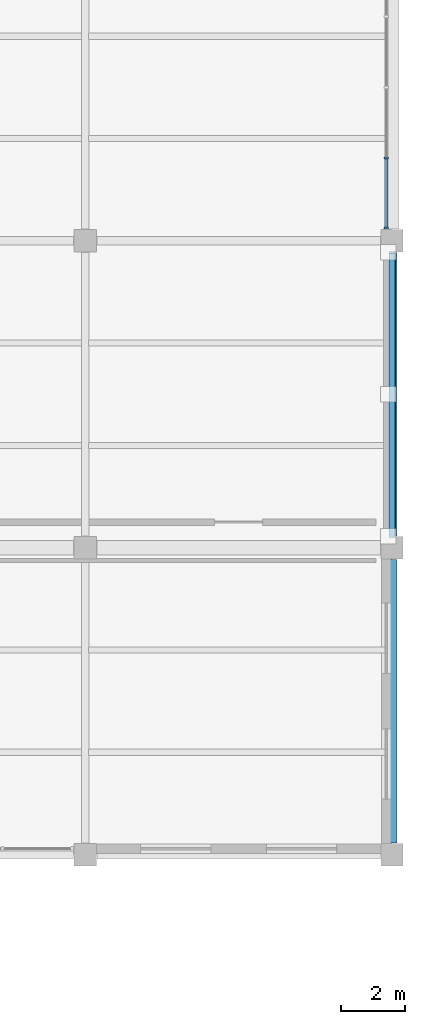
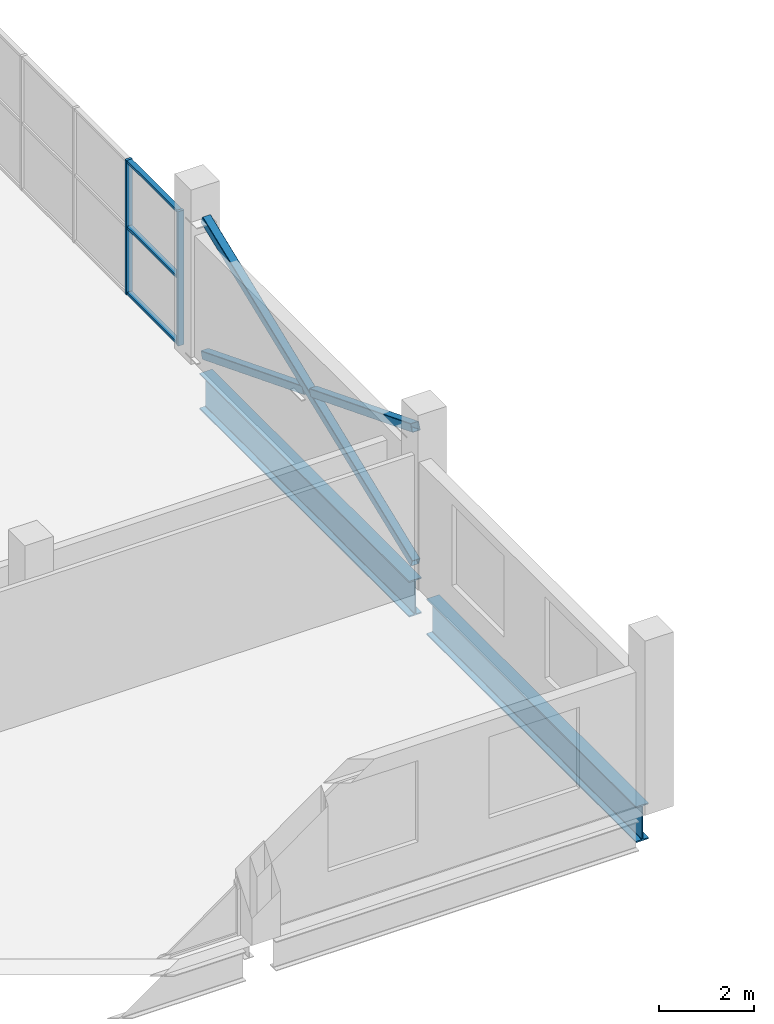
# One storey, part 39 of 92: 8 members, 2 beams, 1 element without a shape of its own.
"""IFC4 building model written with IfcOpenShell, lengths in metres."""

from ifc_helpers import new_model, si_unit, direction, frame, origin, origin_2d, place, context, subcontext, project, spatial, rectangle, hollow_rectangle, i_section, extrude, material, layer, layer_set, material_profile, profile_set, type_object, element, aggregate, save


model = new_model("IFC4")

# Units and contexts
model_context = context("Model", 3, precision=1e-05, world=origin(), true_north=direction((0.0, 1.0)))
body_context = subcontext(model_context, "Body", "Model", "MODEL_VIEW")
ifc_project = project(units=[si_unit("LENGTHUNIT", "METRE"), si_unit("AREAUNIT", "SQUARE_METRE"), si_unit("VOLUMEUNIT", "CUBIC_METRE"), si_unit("PLANEANGLEUNIT", "RADIAN"), si_unit("MASSUNIT", "GRAM", prefix="KILO")], contexts=[model_context])

# Site, building, storey
site_placement = place(None, origin())
site = spatial("IfcSite", under=ifc_project, at=site_placement, CompositionType="ELEMENT")
building_placement = place(site_placement, origin())
building = spatial("IfcBuilding", under=site, at=building_placement, Name="Caelomonte Colonnade Arena", CompositionType="ELEMENT")
storey_placement = place(building_placement, frame((0.0, 0.0, 9.60009765625)))
storey = spatial("IfcBuildingStorey", under=building, at=storey_placement, Name="L02", CompositionType="ELEMENT", Elevation=9.60009765625)

# Curtain wall, members
ifc_material_1 = material(Name="Bronze anodised aluminium and low-E glazing", Category="aluminium")
ifc_layer = layer(ifc_material_1, 0.179931640625)
ifc_layer_set = layer_set([ifc_layer], Name="Bronze anodised aluminium and low-E glazing")
curtain_wall_type = type_object("IfcCurtainWallType", Name="ENV-CW-CW-L02-96-35", PredefinedType="USERDEFINED", material=ifc_layer_set)
curtain_wall_placement = place(storey_placement, origin())
curtain_wall = element("IfcCurtainWall", 1, at=curtain_wall_placement, inside=storey, type_object=curtain_wall_type, Name="L02 unitized curtain wall CW-L02-1918-1296", ObjectType="UNITIZED CURTAIN WALL", PredefinedType="USERDEFINED")
ifc_material_2 = material(Name="Bronze anodised aluminium AA6063-T6", Category="aluminium")
ifc_material_profile_1 = material_profile(ifc_material_2, rectangle(XDim=0.06494140625, YDim=0.14990234375, at=origin_2d()), Name="CWM-65X150")
ifc_profile_set_1 = profile_set([ifc_material_profile_1], Name="Bronze anodised aluminium AA6063-T6")
member_type_1 = type_object("IfcMemberType", Name="ENV-CW-MULL2", PredefinedType="MULLION", material=ifc_profile_set_1)
member_1_placement = place(storey_placement, frame((191.820068359375, 125.202392578125, 0.0), z_axis=(0.0, 0.0, 1.0), x_axis=(0.0, 1.0, 0.0)))
member_1 = element("IfcMember", 2, at=member_1_placement, type_object=member_type_1, Name="CW-L02-96-35 mullion 1", PredefinedType="MULLION", context=body_context, shape_type="SweptSolid", body=[
    extrude(rectangle(XDim=0.06494140625, YDim=0.14990234375, at=origin_2d()), origin(), (0.0, 0.0, 1.0), 3.469970703125),
])
member_2_placement = place(storey_placement, frame((191.820068359375, 127.385009765625, 0.0), z_axis=(0.0, 0.0, 1.0), x_axis=(0.0, 1.0, 0.0)))
member_2 = element("IfcMember", 3, at=member_2_placement, type_object=member_type_1, Name="CW-L02-96-35 mullion 2", PredefinedType="MULLION", context=body_context, shape_type="SweptSolid", body=[
    extrude(rectangle(XDim=0.06494140625, YDim=0.14990234375, at=origin_2d()), origin(), (0.0, 0.0, 1.0), 3.469970703125),
])
ifc_material_profile_2 = material_profile(ifc_material_2, rectangle(XDim=0.06494140625, YDim=0.1201171875, at=origin_2d()), Name="CWT-65X120")
ifc_profile_set_2 = profile_set([ifc_material_profile_2], Name="Bronze anodised aluminium AA6063-T6")
member_type_2 = type_object("IfcMemberType", Name="ENV-CW-TRAN2", PredefinedType="USERDEFINED", material=ifc_profile_set_2)
member_3_placement = place(storey_placement, frame((191.820068359375, 125.235107421875, 0.032470703125), z_axis=(0.0, 1.0, 0.0), x_axis=(0.0, 0.0, 1.0)))
member_3 = element("IfcMember", 4, at=member_3_placement, type_object=member_type_2, Name="CW-L02-96-35 transom 1.1", ObjectType="TRANSOM", PredefinedType="USERDEFINED", context=body_context, shape_type="SweptSolid", body=[
    extrude(rectangle(XDim=0.06494140625, YDim=0.1201171875, at=origin_2d()), origin(), (0.0, 0.0, 1.0), 2.117431640625),
])
member_4_placement = place(storey_placement, frame((191.820068359375, 125.235107421875, 1.73486328125), z_axis=(0.0, 1.0, 0.0), x_axis=(0.0, 0.0, 1.0)))
member_4 = element("IfcMember", 5, at=member_4_placement, type_object=member_type_2, Name="CW-L02-96-35 transom 1.2", ObjectType="TRANSOM", PredefinedType="USERDEFINED", context=body_context, shape_type="SweptSolid", body=[
    extrude(rectangle(XDim=0.06494140625, YDim=0.1201171875, at=origin_2d()), origin(), (0.0, 0.0, 1.0), 2.117431640625),
])
member_5_placement = place(storey_placement, frame((191.820068359375, 125.235107421875, 3.4375), z_axis=(0.0, 1.0, 0.0), x_axis=(0.0, 0.0, 1.0)))
member_5 = element("IfcMember", 6, at=member_5_placement, type_object=member_type_2, Name="CW-L02-96-35 transom 1.3", ObjectType="TRANSOM", PredefinedType="USERDEFINED", context=body_context, shape_type="SweptSolid", body=[
    extrude(rectangle(XDim=0.06494140625, YDim=0.1201171875, at=origin_2d()), origin(), (0.0, 0.0, 1.0), 2.117431640625),
])
aggregate(curtain_wall, [member_1, member_2, member_3, member_4, member_5])

# Members
ifc_material_3 = material(Name="Steel ASTM A500 Grade C", Category="steel")
ifc_material_profile_3 = material_profile(ifc_material_3, hollow_rectangle(XDim=0.203125, YDim=0.203125, WallThickness=0.009521484375, InnerFilletRadius=0.009521484375, OuterFilletRadius=0.01904296875, at=origin_2d()), Name="HSS203X203X9.5")
ifc_profile_set_3 = profile_set([ifc_material_profile_3], Name="Steel ASTM A500 Grade C")
member_type_3 = type_object("IfcMemberType", Name="STR-BF-DIAG3", PredefinedType="BRACE", material=ifc_profile_set_3)
member_6_placement = place(storey_placement, frame((192.0, 115.563720703125, 0.161376953125), z_axis=(0.0, 0.930343300446, 0.366689709856), x_axis=(-1.0, 0.0, 0.0)))
element("IfcMember", 7, at=member_6_placement, inside=storey, type_object=member_type_3, Name="Braced frame BF4 L02 continuous diagonal A", PredefinedType="BRACE", context=body_context, shape_type="SweptSolid", body=[
    extrude(hollow_rectangle(XDim=0.203125, YDim=0.203125, WallThickness=0.009521484375, InnerFilletRadius=0.009521484375, OuterFilletRadius=0.01904296875, at=origin_2d()), origin(), (0.0, 0.0, 1.0), 9.536865234375),
])
for number, where, z_axis, x_axis, name in (
    (8, (192.0, 124.436279296875, 0.161376953125), (0.0, -0.930355232807, 0.366659434336), (1.0, 0.0, 0.0), "Braced frame BF4 L02 split diagonal B1"),
    (9, (192.0, 119.847412109375, 1.97021484375), (0.0, -0.930355232807, 0.366659434336), (1.0, 0.0, 0.0), "Braced frame BF4 L02 split diagonal B2"),
):
    element("IfcMember", number, at=place(storey_placement, frame(where, z_axis=z_axis, x_axis=x_axis)), inside=storey, type_object=member_type_3, Name=name, PredefinedType="BRACE", context=body_context, shape_type="SweptSolid", body=[
        extrude(hollow_rectangle(XDim=0.203125, YDim=0.203125, WallThickness=0.009521484375, InnerFilletRadius=0.009521484375, OuterFilletRadius=0.01904296875, at=origin_2d()), origin(), (0.0, 0.0, 1.0), 4.604248046875),
    ])

# Beams
ifc_material_4 = material(Name="Wide-flange steel ASTM A992 Grade 50", Category="steel")
ifc_material_profile_4 = material_profile(ifc_material_4, i_section(OverallWidth=0.307861328125, OverallDepth=0.927001953125, WebThickness=0.019287109375, FlangeThickness=0.031982421875, FilletRadius=0.020263671875, at=origin_2d()), Name="W36X194")
ifc_profile_set_4 = profile_set([ifc_material_profile_4], Name="Wide-flange steel ASTM A992 Grade 50")
beam_type = type_object("IfcBeamType", Name="STR-BM-EAVES2", PredefinedType="SPANDREL", material=ifc_profile_set_4)
beam_1_placement = place(storey_placement, frame((192.0, 105.967041015625, -0.74365234375), z_axis=(0.0, 1.0, 0.0), x_axis=(-1.0, 0.0, 0.0)))
element("IfcBeam", 10, at=beam_1_placement, inside=storey, type_object=beam_type, Name="L02 girder BMY-L02-1920-1056", PredefinedType="SPANDREL", context=body_context, shape_type="SweptSolid", body=[
    extrude(i_section(OverallWidth=0.307861328125, OverallDepth=0.927001953125, WebThickness=0.019287109375, FlangeThickness=0.031982421875, FilletRadius=0.020263671875, at=origin_2d()), origin(), (0.0, 0.0, 1.0), 8.865966796875),
])
beam_2_placement = place(storey_placement, frame((192.0, 115.56689453125, -0.74365234375), z_axis=(0.0, 1.0, 0.0), x_axis=(-1.0, 0.0, 0.0)))
element("IfcBeam", 11, at=beam_2_placement, inside=storey, type_object=beam_type, Name="L02 girder BMY-L02-1920-1152", PredefinedType="SPANDREL", context=body_context, shape_type="SweptSolid", body=[
    extrude(i_section(OverallWidth=0.307861328125, OverallDepth=0.927001953125, WebThickness=0.019287109375, FlangeThickness=0.031982421875, FilletRadius=0.020263671875, at=origin_2d()), origin(), (0.0, 0.0, 1.0), 8.8662109375),
])

save(model, "model.ifc")
